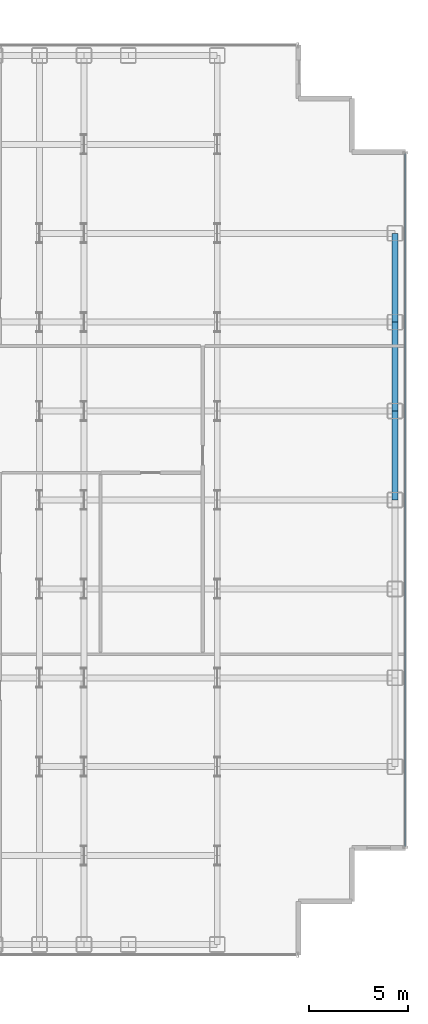
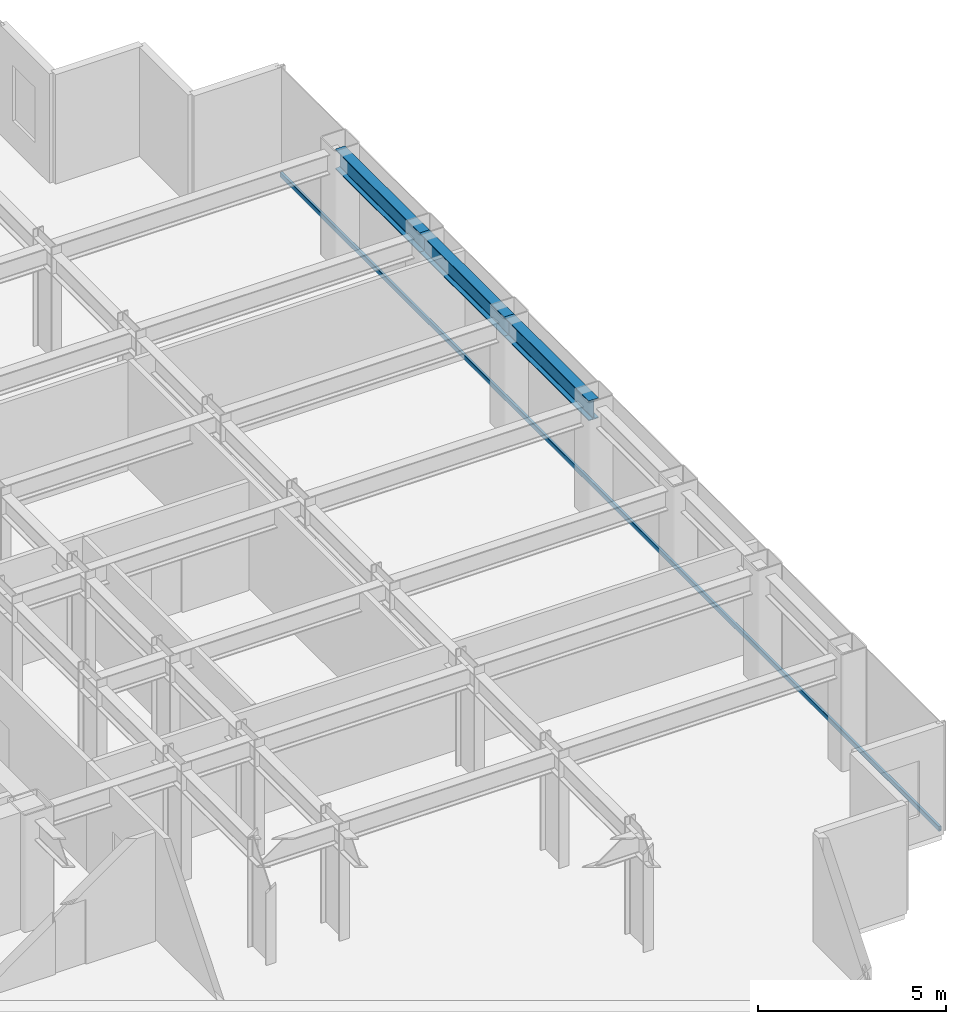
# One storey, part 17 of 26: 3 beams, 1 member, 1 element without a shape of its own.
"""IFC4 building model written with IfcOpenShell, lengths in metres."""

from ifc_helpers import new_model, si_unit, direction, frame, origin, origin_2d, place, context, subcontext, project, spatial, hollow_rectangle, i_section, extrude, source, transform, mapped, material, layer, layer_set, material_profile, profile_set, type_object, element, aggregate, save


model = new_model("IFC4")

# Units and contexts
model_context = context("Model", 3, precision=1e-05, world=origin(), true_north=direction((0.0, 1.0)))
body_context = subcontext(model_context, "Body", "Model", "MODEL_VIEW")
ifc_project = project(units=[si_unit("LENGTHUNIT", "METRE"), si_unit("AREAUNIT", "SQUARE_METRE"), si_unit("VOLUMEUNIT", "CUBIC_METRE"), si_unit("PLANEANGLEUNIT", "RADIAN"), si_unit("MASSUNIT", "GRAM", prefix="KILO")], contexts=[model_context])

# Site, building, storey
site_placement = place(None, origin())
site = spatial("IfcSite", under=ifc_project, at=site_placement, CompositionType="ELEMENT")
building_placement = place(site_placement, origin())
building = spatial("IfcBuilding", under=site, at=building_placement, Name="Nefas-Gora Pilgrimage Tower", CompositionType="ELEMENT")
storey_placement = place(building_placement, frame((0.0, 0.0, 117.39990234375)))
storey = spatial("IfcBuildingStorey", under=building, at=storey_placement, Name="L28", CompositionType="ELEMENT", Elevation=117.39990234375)

# Beams
ifc_material_1 = material(Name="Steel S355", Category="steel")
ifc_material_profile_1 = material_profile(ifc_material_1, i_section(OverallWidth=0.300048828125, OverallDepth=0.64990234375, WebThickness=0.01611328125, FlangeThickness=0.031005859375, FilletRadius=0.027099609375, at=origin_2d()), Name="HEB 650")
ifc_profile_set_1 = profile_set([ifc_material_profile_1], Name="Steel S355")
beam_type = type_object("IfcBeamType", Name="BM-SPN-HEB500", PredefinedType="SPANDREL", material=ifc_profile_set_1)
shared_shape_1 = source(origin(), body_context, "Body", "SweptSolid", [
    extrude(i_section(OverallWidth=0.300048828125, OverallDepth=0.64990234375, WebThickness=0.01611328125, FlangeThickness=0.031005859375, FilletRadius=0.027099609375, at=origin_2d()), origin(), (0.0, 0.0, 1.0), 4.5),
])
for number, where, z_axis, x_axis, name in (
    (1, (33.75, 0.0, 3.22509765625), (0.0, 1.0, 0.0), (-1.0, 0.0, 0.0), "L28 SP-02 beam"),
    (2, (33.75, 4.5, 3.22509765625), (0.0, 1.0, 0.0), (-1.0, 0.0, 0.0), "L28 SP-02 beam"),
    (3, (33.75, 9.0, 3.22509765625), (0.0, 1.0, 0.0), (-1.0, 0.0, 0.0), "L28 SP-02 beam"),
):
    element("IfcBeam", number, at=place(storey_placement, frame(where, z_axis=z_axis, x_axis=x_axis)), inside=storey, type_object=beam_type, Name=name, PredefinedType="SPANDREL", context=body_context, shape_type="MappedRepresentation", body=[
        mapped(shared_shape_1, transform((0.0, 0.0, 0.0), x_axis=(1.0, 0.0, 0.0), y_axis=(0.0, 1.0, 0.0), z_axis=(0.0, 0.0, 1.0), scale=1.0)),
    ])

# Curtain wall, member
ifc_material_2 = material(Name="Dark ceramic-fritted solar-control aluminium-glass curtain wall", Category="aluminium")
ifc_layer = layer(ifc_material_2, 0.219970703125)
ifc_layer_set = layer_set([ifc_layer], Name="Dark ceramic-fritted solar-control aluminium-glass curtain wall")
curtain_wall_type = type_object("IfcCurtainWallType", Name="CW-SYS-2", PredefinedType="NOTDEFINED", material=ifc_layer_set)
curtain_wall_placement = place(storey_placement, origin())
curtain_wall = element("IfcCurtainWall", 4, at=curtain_wall_placement, inside=storey, type_object=curtain_wall_type, Name="L28 Unitised Curtain Wall CW2", PredefinedType="NOTDEFINED")
ifc_material_3 = material(Name="Anodised architectural aluminium", Category="aluminium")
ifc_material_profile_2 = material_profile(ifc_material_3, hollow_rectangle(XDim=0.080078125, YDim=0.159912109375, WallThickness=0.00439453125, InnerFilletRadius=0.00439453125, OuterFilletRadius=0.009033203125, at=origin_2d()), Name="ALU TRANSOM 80x160")
ifc_profile_set_2 = profile_set([ifc_material_profile_2], Name="Anodised architectural aluminium")
member_type = type_object("IfcMemberType", Name="CWM-TRN-2", PredefinedType="USERDEFINED", material=ifc_profile_set_2)
shared_shape_2 = source(origin(), body_context, "Body", "SweptSolid", [
    extrude(hollow_rectangle(XDim=0.080078125, YDim=0.159912109375, WallThickness=0.00439453125, InnerFilletRadius=0.00439453125, OuterFilletRadius=0.009033203125, at=origin_2d()), origin(), (0.0, 0.0, 1.0), 35.06005859375),
])
member_placement = place(storey_placement, frame((34.27001953125, -17.530029296875, 0.050048828125), z_axis=(0.0, 1.0, 0.0), x_axis=(-1.0, 0.0, 0.0)))
member = element("IfcMember", 5, at=member_placement, type_object=member_type, Name="CW2 Spandrel Transom", ObjectType="TRANSOM", PredefinedType="USERDEFINED", context=body_context, shape_type="MappedRepresentation", body=[
    mapped(shared_shape_2, transform((0.0, 0.0, 0.0), x_axis=(1.0, 0.0, 0.0), y_axis=(0.0, 1.0, 0.0), z_axis=(0.0, 0.0, 1.0), scale=1.0)),
])
aggregate(curtain_wall, [member])

save(model, "model.ifc")
